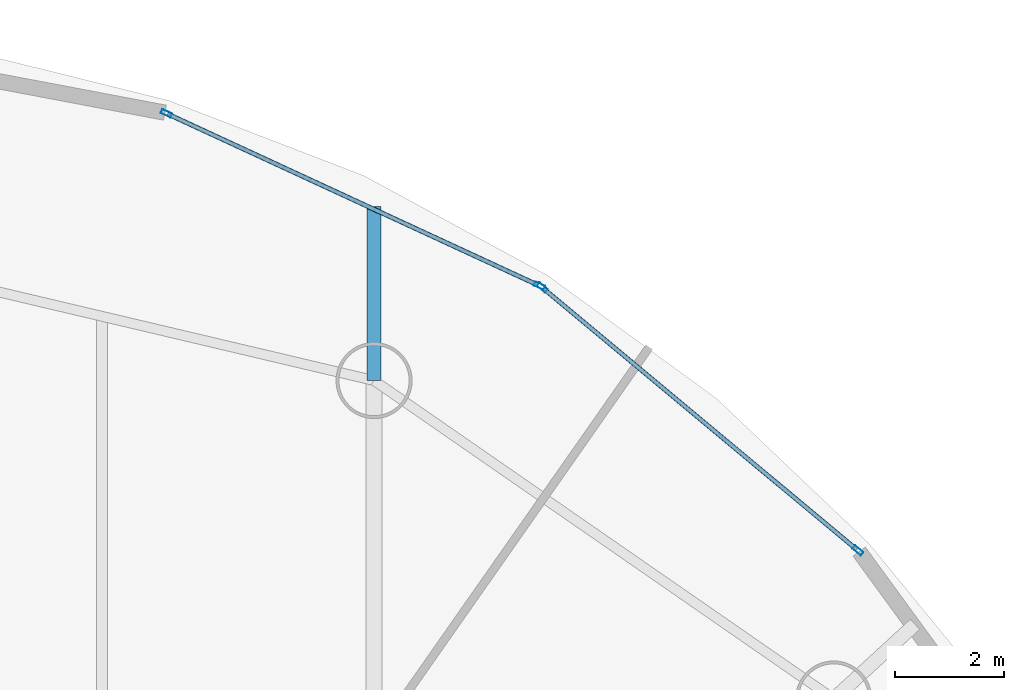
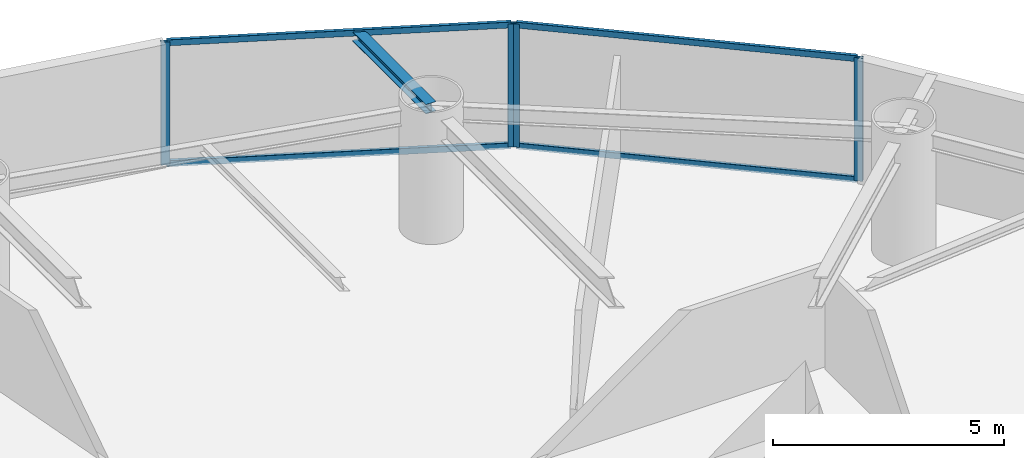
# One storey, part 16 of 23: 8 members, 1 beam, 2 elements without a shape of their own.
"""IFC4 building model written with IfcOpenShell, lengths in metres."""

from ifc_helpers import new_model, si_unit, direction, frame, origin, origin_2d, place, context, subcontext, project, spatial, hollow_rectangle, i_section, extrude, material, layer, layer_set, material_profile, profile_set, type_object, element, aggregate, save


model = new_model("IFC4")

# Units and contexts
model_context = context("Model", 3, precision=1e-05, world=origin(), true_north=direction((0.0, 1.0)))
body_context = subcontext(model_context, "Body", "Model", "MODEL_VIEW")
ifc_project = project(units=[si_unit("LENGTHUNIT", "METRE"), si_unit("AREAUNIT", "SQUARE_METRE"), si_unit("VOLUMEUNIT", "CUBIC_METRE"), si_unit("PLANEANGLEUNIT", "RADIAN"), si_unit("MASSUNIT", "GRAM", prefix="KILO")], contexts=[model_context])

# Site, building, storey
site_placement = place(None, origin())
site = spatial("IfcSite", under=ifc_project, at=site_placement, CompositionType="ELEMENT")
building_placement = place(site_placement, origin())
building = spatial("IfcBuilding", under=site, at=building_placement, Name="Bramvorn Convention Spire", CompositionType="ELEMENT")
storey_placement = place(building_placement, frame((0.0, 0.0, 158.800048828125)))
storey = spatial("IfcBuildingStorey", under=building, at=storey_placement, Name="L40", CompositionType="ELEMENT", Elevation=158.800048828125)

# Beam
ifc_material_1 = material(Name="Steel CSA G40.21 Grade 350 (350W)", Category="steel")
ifc_material_profile_1 = material_profile(ifc_material_1, i_section(OverallWidth=0.25390625, OverallDepth=0.2529296875, WebThickness=0.008544921875, FlangeThickness=0.01416015625, FilletRadius=0.011962890625, at=origin_2d()))
ifc_profile_set_1 = profile_set([ifc_material_profile_1], Name="Steel CSA G40.21 Grade 350 (350W) - W250X73")
beam_type = type_object("IfcBeamType", Name="BM-W250X73", PredefinedType="BEAM", material=ifc_profile_set_1)
beam_placement = place(storey_placement, frame((46.082763671875, 44.154052734375, 3.133544921875), z_axis=(0.0, 1.0, 0.0), x_axis=(-1.0, 0.0, 0.0)))
element("IfcBeam", 1, at=beam_placement, inside=storey, type_object=beam_type, Name="L40 slab-edge cantilever tip beam MC05", PredefinedType="BEAM", context=body_context, shape_type="SweptSolid", body=[
    extrude(i_section(OverallWidth=0.25390625, OverallDepth=0.2529296875, WebThickness=0.008544921875, FlangeThickness=0.01416015625, FilletRadius=0.011962890625, at=origin_2d()), origin(), (0.0, 0.0, 1.0), 3.199951171875),
])

# Curtain wall, members
ifc_material_2 = material(Name="Anodised Bronze Unitised Curtain Wall", Category="aluminium")
ifc_layer = layer(ifc_material_2, 0.179931640625)
ifc_layer_set = layer_set([ifc_layer], Name="Anodised Bronze Unitised Curtain Wall - CW-HTL-FRIT")
curtain_wall_type = type_object("IfcCurtainWallType", Name="CW-HTL-FRIT", PredefinedType="USERDEFINED", material=ifc_layer_set)
curtain_wall_1_placement = place(storey_placement, origin())
curtain_wall_1 = element("IfcCurtainWall", 2, at=curtain_wall_1_placement, inside=storey, type_object=curtain_wall_type, Name="L40 fritted glass curtain wall 06", ObjectType="UNITISED CURTAIN WALL", PredefinedType="USERDEFINED")
ifc_material_3 = material(Name="Anodised Bronze Aluminium 6063-T6", Category="aluminium")
ifc_material_profile_2 = material_profile(ifc_material_3, hollow_rectangle(XDim=0.080078125, YDim=0.199951171875, WallThickness=0.00390625, InnerFilletRadius=0.0009765625, OuterFilletRadius=0.00390625, at=origin_2d()))
ifc_profile_set_2 = profile_set([ifc_material_profile_2], Name="Anodised Bronze Aluminium 6063-T6 - CWM80X200")
member_type_1 = type_object("IfcMemberType", Name="CW-MUL-180", PredefinedType="MULLION", material=ifc_profile_set_2)
member_1_placement = place(storey_placement, frame((49.174072265625, 45.865478515625, 0.0), z_axis=(0.0, 0.0, 1.0), x_axis=(0.640084967411, 0.768304128906, 0.0)))
member_1 = element("IfcMember", 3, at=member_1_placement, type_object=member_type_1, Name="CW2 mullion 1", PredefinedType="MULLION", context=body_context, shape_type="SweptSolid", body=[
    extrude(hollow_rectangle(XDim=0.080078125, YDim=0.199951171875, WallThickness=0.00390625, InnerFilletRadius=0.0009765625, OuterFilletRadius=0.00390625, at=origin_2d()), origin(), (0.0, 0.0, 1.0), 3.260009765625),
])
member_2_placement = place(storey_placement, frame((54.98046875, 41.0283203125, 0.0), z_axis=(0.0, 0.0, 1.0), x_axis=(0.640084967411, 0.768304128906, 0.0)))
member_2 = element("IfcMember", 4, at=member_2_placement, type_object=member_type_1, Name="CW2 mullion 2", PredefinedType="MULLION", context=body_context, shape_type="SweptSolid", body=[
    extrude(hollow_rectangle(XDim=0.080078125, YDim=0.199951171875, WallThickness=0.00390625, InnerFilletRadius=0.0009765625, OuterFilletRadius=0.00390625, at=origin_2d()), origin(), (0.0, 0.0, 1.0), 3.260009765625),
])

curtain_wall_2_placement = place(storey_placement, origin())
curtain_wall_2 = element("IfcCurtainWall", 5, at=curtain_wall_2_placement, inside=storey, type_object=curtain_wall_type, Name="L40 fritted glass curtain wall 07", ObjectType="UNITISED CURTAIN WALL", PredefinedType="USERDEFINED")
member_3_placement = place(storey_placement, frame((42.263427734375, 49.067626953125, 0.0), z_axis=(0.0, 0.0, 1.0), x_axis=(0.419481034561, 0.907764100217, 0.0)))
member_3 = element("IfcMember", 6, at=member_3_placement, type_object=member_type_1, Name="CW2 mullion 1", PredefinedType="MULLION", context=body_context, shape_type="SweptSolid", body=[
    extrude(hollow_rectangle(XDim=0.080078125, YDim=0.199951171875, WallThickness=0.00390625, InnerFilletRadius=0.0009765625, OuterFilletRadius=0.00390625, at=origin_2d()), origin(), (0.0, 0.0, 1.0), 3.260009765625),
])
member_4_placement = place(storey_placement, frame((49.123779296875, 45.8974609375, 0.0), z_axis=(0.0, 0.0, 1.0), x_axis=(0.419481034561, 0.907764100217, 0.0)))
member_4 = element("IfcMember", 7, at=member_4_placement, type_object=member_type_1, Name="CW2 mullion 2", PredefinedType="MULLION", context=body_context, shape_type="SweptSolid", body=[
    extrude(hollow_rectangle(XDim=0.080078125, YDim=0.199951171875, WallThickness=0.00390625, InnerFilletRadius=0.0009765625, OuterFilletRadius=0.00390625, at=origin_2d()), origin(), (0.0, 0.0, 1.0), 3.260009765625),
])

# Member
ifc_material_profile_3 = material_profile(ifc_material_3, hollow_rectangle(XDim=0.080078125, YDim=0.159912109375, WallThickness=0.00390625, InnerFilletRadius=0.0009765625, OuterFilletRadius=0.00390625, at=origin_2d()))
ifc_profile_set_3 = profile_set([ifc_material_profile_3], Name="Anodised Bronze Aluminium 6063-T6 - CWT80X160")
member_type_2 = type_object("IfcMemberType", Name="CW-TRN-150", PredefinedType="USERDEFINED", material=ifc_profile_set_3)
member_5_placement = place(storey_placement, frame((49.197021484375, 45.846435546875, 0.030029296875), z_axis=(0.768309350895, -0.640078699324, 0.0), x_axis=(0.640078699324, 0.768309350895, 0.0)))
member_5 = element("IfcMember", 8, at=member_5_placement, type_object=member_type_2, Name="CW2 transom 1.1", ObjectType="TRANSOM", PredefinedType="USERDEFINED", context=body_context, shape_type="SweptSolid", body=[
    extrude(hollow_rectangle(XDim=0.080078125, YDim=0.159912109375, WallThickness=0.00390625, InnerFilletRadius=0.0009765625, OuterFilletRadius=0.00390625, at=origin_2d()), origin(), (0.0, 0.0, 1.0), 7.49755859375),
])

member_6_placement = place(storey_placement, frame((49.197021484375, 45.846435546875, 3.22998046875), z_axis=(0.768309350895, -0.640078699324, 0.0), x_axis=(0.640078699324, 0.768309350895, 0.0)))
member_6 = element("IfcMember", 9, at=member_6_placement, type_object=member_type_2, Name="CW2 transom 1.2", ObjectType="TRANSOM", PredefinedType="USERDEFINED", context=body_context, shape_type="SweptSolid", body=[
    extrude(hollow_rectangle(XDim=0.080078125, YDim=0.159912109375, WallThickness=0.00390625, InnerFilletRadius=0.0009765625, OuterFilletRadius=0.00390625, at=origin_2d()), origin(), (0.0, 0.0, 1.0), 7.49755859375),
])

aggregate(curtain_wall_1, [member_1, member_2, member_5, member_6])

member_7_placement = place(storey_placement, frame((42.29052734375, 49.054931640625, 0.030029296875), z_axis=(0.907764860532, -0.419479389223, 0.0), x_axis=(0.419479389223, 0.907764860532, 0.0)))
member_7 = element("IfcMember", 10, at=member_7_placement, type_object=member_type_2, Name="CW2 transom 1.1", ObjectType="TRANSOM", PredefinedType="USERDEFINED", context=body_context, shape_type="SweptSolid", body=[
    extrude(hollow_rectangle(XDim=0.080078125, YDim=0.159912109375, WallThickness=0.00390625, InnerFilletRadius=0.0009765625, OuterFilletRadius=0.00390625, at=origin_2d()), origin(), (0.0, 0.0, 1.0), 7.497314453125),
])

member_8_placement = place(storey_placement, frame((42.29052734375, 49.054931640625, 3.22998046875), z_axis=(0.907764860532, -0.419479389223, 0.0), x_axis=(0.419479389223, 0.907764860532, 0.0)))
member_8 = element("IfcMember", 11, at=member_8_placement, type_object=member_type_2, Name="CW2 transom 1.2", ObjectType="TRANSOM", PredefinedType="USERDEFINED", context=body_context, shape_type="SweptSolid", body=[
    extrude(hollow_rectangle(XDim=0.080078125, YDim=0.159912109375, WallThickness=0.00390625, InnerFilletRadius=0.0009765625, OuterFilletRadius=0.00390625, at=origin_2d()), origin(), (0.0, 0.0, 1.0), 7.497314453125),
])

aggregate(curtain_wall_2, [member_3, member_4, member_7, member_8])

save(model, "model.ifc")
